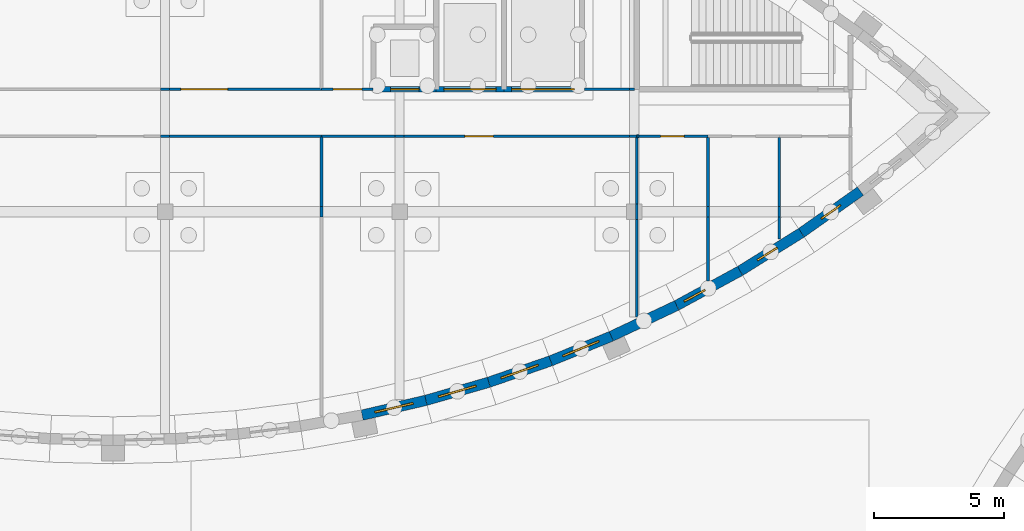
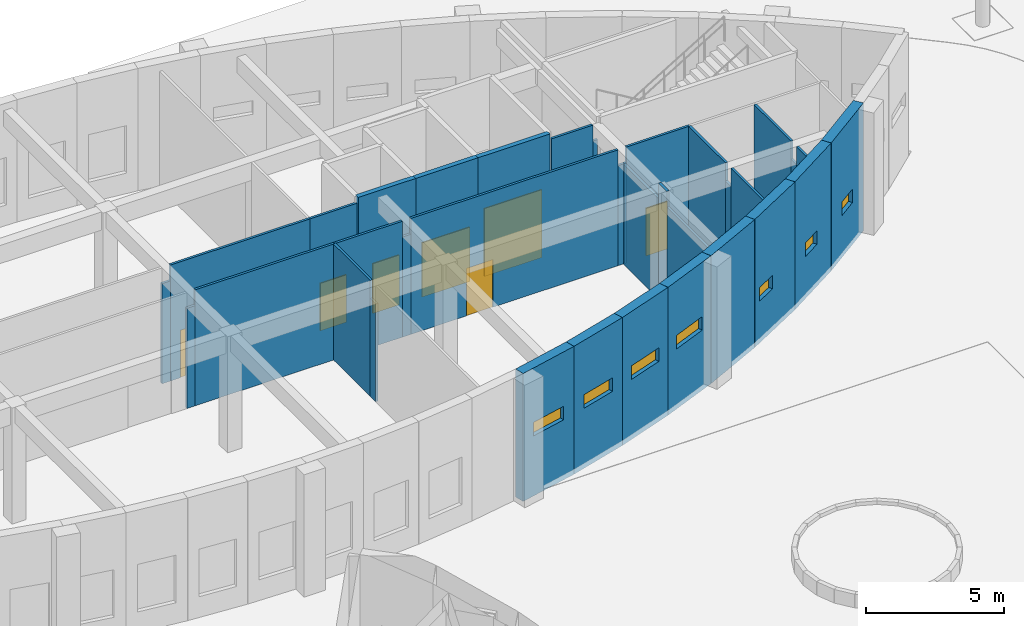
# One storey, part 58 of 82: 35 walls, 7 doors, 7 windows, 14 openings.
"""IFC4 building model written with IfcOpenShell, lengths in metres."""

from ifc_helpers import new_model, si_unit, direction, frame, frame_2d, origin, place, context, subcontext, project, spatial, rectangle, extrude, material, layer, layer_set, type_object, element, fill, save


model = new_model("IFC4")

# Units and contexts
model_context = context("Model", 3, precision=1e-05, world=origin(), true_north=direction((0.0, 1.0)))
body_context = subcontext(model_context, "Body", "Model", "MODEL_VIEW")
ifc_project = project(units=[si_unit("LENGTHUNIT", "METRE"), si_unit("AREAUNIT", "SQUARE_METRE"), si_unit("VOLUMEUNIT", "CUBIC_METRE"), si_unit("PLANEANGLEUNIT", "RADIAN"), si_unit("MASSUNIT", "GRAM", prefix="KILO")], contexts=[model_context])

# Site, building, storey
site_placement = place(None, origin())
site = spatial("IfcSite", under=ifc_project, at=site_placement, CompositionType="ELEMENT")
building_placement = place(site_placement, origin())
building = spatial("IfcBuilding", under=site, at=building_placement, Name="Tide Square Theatres", CompositionType="ELEMENT")
storey_placement = place(building_placement, origin())
storey = spatial("IfcBuildingStorey", under=building, at=storey_placement, Name="L00", CompositionType="ELEMENT", Elevation=0.0)

# Walls
ifc_material_1 = material(Name="Gypsum board on steel studs", Category="steel")
ifc_layer_1 = layer(ifc_material_1, 0.10009765625)
ifc_layer_set_1 = layer_set([ifc_layer_1], Name="Gypsum board on steel studs")
wall_type_1 = type_object("IfcWallType", Name="Partition 100 thick", PredefinedType="PARTITIONING", material=ifc_layer_set_1)
wall_1_placement = place(storey_placement, frame((45.0, 96.89990234375, 0.0), z_axis=(0.0, 0.0, 1.0), x_axis=(-1.0, 0.0, 0.0)))
element("IfcWall", 1, at=wall_1_placement, inside=storey, type_object=wall_type_1, Name="Scenery Workshops partition", PredefinedType="PARTITIONING", context=body_context, shape_type="SweptSolid", body=[
    extrude(rectangle(XDim=5.824951171875, YDim=0.10009765625, at=frame_2d((2.91259765625, 0.0))), origin(), (0.0, 0.0, 1.0), 5.1201171875),
])
for number, where, z_axis, x_axis, name in (
    (2, (39.175048828125, 96.89990234375, 0.0), (0.0, 0.0, 1.0), (-1.0, 0.0, 0.0), "Scenery Workshops partition"),
    (3, (38.824951171875, 98.699951171875, 0.0), (0.0, 0.0, 1.0), (1.0, 0.0, 0.0), "Scenery Workshops partition"),
):
    element("IfcWall", number, at=place(storey_placement, frame(where, z_axis=z_axis, x_axis=x_axis)), inside=storey, type_object=wall_type_1, Name=name, PredefinedType="PARTITIONING", context=body_context, shape_type="SweptSolid", body=[
        extrude(rectangle(XDim=0.35009765625, YDim=0.10009765625, at=frame_2d((0.175048828125, 0.0))), origin(), (0.0, 0.0, 1.0), 4.419921875),
    ])

# Wall, opening, door
wall_2_placement = place(storey_placement, frame((39.175048828125, 98.699951171875, 0.0), z_axis=(0.0, 0.0, 1.0), x_axis=(1.0, 0.0, 0.0)))
wall_2 = element("IfcWall", 4, at=wall_2_placement, inside=storey, type_object=wall_type_1, Name="Scenery Workshops partition", PredefinedType="PARTITIONING", context=body_context, shape_type="SweptSolid", body=[
    extrude(rectangle(XDim=5.824951171875, YDim=0.10009765625, at=frame_2d((2.91259765625, 0.0))), origin(), (0.0, 0.0, 1.0), 5.1201171875),
])
opening_1_placement = place(wall_2_placement, frame((0.425048828125, 0.0, 0.0)))
opening_1 = element("IfcOpeningElement", 5, at=opening_1_placement, cuts=wall_2, Name="Opening W0-17", PredefinedType="OPENING", context=body_context, shape_type="SweptSolid", body=[
    extrude(rectangle(XDim=1.800048828125, YDim=2.10009765625, at=frame_2d((0.89990234375, 1.050048828125))), frame((0.0, 0.06005859375, 0.0), z_axis=(0.0, -1.0, 0.0), x_axis=(1.0, 0.0, 0.0)), (0.0, 0.0, 1.0), 0.1201171875),
])
ifc_material_2 = material(Name="Hardwood timber", Category="wood")
door_type_1 = type_object("IfcDoorType", Name="Door 1800 x 2100 double leaf", OperationType="DOUBLE_DOOR_SINGLE_SWING", PredefinedType="DOOR", material=ifc_material_2)
door_1_placement = place(opening_1_placement, origin())
door_1 = element("IfcDoor", 6, at=door_1_placement, inside=storey, type_object=door_type_1, Name="Scenery Workshops door W0-17 to Scenery Loading Dock", OperationType="DOUBLE_DOOR_SINGLE_SWING", OverallHeight=2.10009765625, OverallWidth=1.800048828125, PredefinedType="DOOR", context=body_context, shape_type="SweptSolid", body=[
    extrude(rectangle(XDim=1.800048828125, YDim=2.10009765625, at=frame_2d((0.89990234375, 1.050048828125))), frame((0.0, 0.02490234375, 0.0), z_axis=(0.0, -1.0, 0.0), x_axis=(1.0, 0.0, 0.0)), (0.0, 0.0, 1.0), 0.050048828125),
])
fill(opening_1, door_1)

# Walls
wall_3_placement = place(storey_placement, frame((45.0, 96.8701171875, 0.0), z_axis=(0.0, 0.0, 1.0), x_axis=(0.0, -1.0, 0.0)))
element("IfcWall", 7, at=wall_3_placement, inside=storey, type_object=wall_type_1, Name="Scenery Workshops partition", PredefinedType="PARTITIONING", context=body_context, shape_type="SweptSolid", body=[
    extrude(rectangle(XDim=2.670166015625, YDim=0.10009765625, at=frame_2d((1.3349609375, 0.0))), origin(), (0.0, 0.0, 1.0), 5.1201171875),
])
wall_4_placement = place(storey_placement, frame((45.0, 94.199951171875, 0.0), z_axis=(0.0, 0.0, 1.0), x_axis=(0.0, -1.0, 0.0)))
element("IfcWall", 8, at=wall_4_placement, inside=storey, type_object=wall_type_1, Name="Scenery Workshops partition", PredefinedType="PARTITIONING", context=body_context, shape_type="SweptSolid", body=[
    extrude(rectangle(XDim=0.39990234375, YDim=0.10009765625, at=frame_2d((0.199951171875, 0.0))), origin(), (0.0, 0.0, 1.0), 4.320068359375),
])
wall_5_placement = place(storey_placement, frame((57.10009765625, 96.89990234375, 0.0), z_axis=(0.0, 0.0, 1.0), x_axis=(-1.0, 0.0, 0.0)))
element("IfcWall", 9, at=wall_5_placement, inside=storey, type_object=wall_type_1, Name="Scenery Workshops partition", PredefinedType="PARTITIONING", context=body_context, shape_type="SweptSolid", body=[
    extrude(rectangle(XDim=0.275146484375, YDim=0.10009765625, at=frame_2d((0.1376953125, 0.0))), origin(), (0.0, 0.0, 1.0), 4.419921875),
])

# Wall, opening, door
wall_6_placement = place(storey_placement, frame((56.824951171875, 96.89990234375, 0.0), z_axis=(0.0, 0.0, 1.0), x_axis=(-1.0, 0.0, 0.0)))
wall_6 = element("IfcWall", 10, at=wall_6_placement, inside=storey, type_object=wall_type_1, Name="Scenery Workshops partition", PredefinedType="PARTITIONING", context=body_context, shape_type="SweptSolid", body=[
    extrude(rectangle(XDim=8.64990234375, YDim=0.10009765625, at=frame_2d((4.324951171875, 0.0))), origin(), (0.0, 0.0, 1.0), 5.1201171875),
])
opening_2_placement = place(wall_6_placement, frame((5.22509765625, 0.0, 0.0)))
opening_2 = element("IfcOpeningElement", 11, at=opening_2_placement, cuts=wall_6, Name="Opening W0-15", PredefinedType="OPENING", context=body_context, shape_type="SweptSolid", body=[
    extrude(rectangle(XDim=1.10009765625, YDim=2.10009765625, at=frame_2d((0.550048828125, 1.050048828125))), frame((0.0, 0.06005859375, 0.0), z_axis=(0.0, -1.0, 0.0), x_axis=(1.0, 0.0, 0.0)), (0.0, 0.0, 1.0), 0.1201171875),
])
ifc_material_3 = material(Name="Painted steel", Category="steel")
door_type_2 = type_object("IfcDoorType", Name="Door 1100 x 2100 single leaf", OperationType="NOTDEFINED", PredefinedType="DOOR", material=ifc_material_3)
door_2_placement = place(opening_2_placement, origin())
door_2 = element("IfcDoor", 12, at=door_2_placement, inside=storey, type_object=door_type_2, Name="Scenery Workshops door W0-15 to Timber and Paint Store", OperationType="SINGLE_SWING_RIGHT", OverallHeight=2.10009765625, OverallWidth=1.10009765625, PredefinedType="DOOR", context=body_context, shape_type="SweptSolid", body=[
    extrude(rectangle(XDim=1.10009765625, YDim=2.10009765625, at=frame_2d((0.550048828125, 1.050048828125))), frame((0.0, 0.02490234375, 0.0), z_axis=(0.0, -1.0, 0.0), x_axis=(1.0, 0.0, 0.0)), (0.0, 0.0, 1.0), 0.050048828125),
])
fill(opening_2, door_2)

# Walls
wall_7_placement = place(storey_placement, frame((48.175048828125, 96.89990234375, 0.0), z_axis=(0.0, 0.0, 1.0), x_axis=(-1.0, 0.0, 0.0)))
element("IfcWall", 13, at=wall_7_placement, inside=storey, type_object=wall_type_1, Name="Scenery Workshops partition", PredefinedType="PARTITIONING", context=body_context, shape_type="SweptSolid", body=[
    extrude(rectangle(XDim=0.35009765625, YDim=0.10009765625, at=frame_2d((0.175048828125, 0.0))), origin(), (0.0, 0.0, 1.0), 4.419921875),
])
wall_8_placement = place(storey_placement, frame((47.824951171875, 96.89990234375, 0.0), z_axis=(0.0, 0.0, 1.0), x_axis=(-1.0, 0.0, 0.0)))
element("IfcWall", 14, at=wall_8_placement, inside=storey, type_object=wall_type_1, Name="Scenery Workshops partition", PredefinedType="PARTITIONING", context=body_context, shape_type="SweptSolid", body=[
    extrude(rectangle(XDim=2.824951171875, YDim=0.10009765625, at=frame_2d((1.41259765625, 0.0))), origin(), (0.0, 0.0, 1.0), 5.1201171875),
])

# Wall, opening, door
wall_9_placement = place(storey_placement, frame((45.0, 98.699951171875, 0.0), z_axis=(0.0, 0.0, 1.0), x_axis=(1.0, 0.0, 0.0)))
wall_9 = element("IfcWall", 15, at=wall_9_placement, inside=storey, type_object=wall_type_1, Name="Scenery Workshops partition", PredefinedType="PARTITIONING", context=body_context, shape_type="SweptSolid", body=[
    extrude(rectangle(XDim=1.969970703125, YDim=0.10009765625, at=frame_2d((0.98486328125, 0.0))), origin(), (0.0, 0.0, 1.0), 5.1201171875),
])
opening_3_placement = place(wall_9_placement, frame((0.449951171875, 0.0, 0.0)))
opening_3 = element("IfcOpeningElement", 16, at=opening_3_placement, cuts=wall_9, Name="Opening W0-19", PredefinedType="OPENING", context=body_context, shape_type="SweptSolid", body=[
    extrude(rectangle(XDim=1.10009765625, YDim=2.10009765625, at=frame_2d((0.550048828125, 1.050048828125))), frame((0.0, 0.06005859375, 0.0), z_axis=(0.0, -1.0, 0.0), x_axis=(1.0, 0.0, 0.0)), (0.0, 0.0, 1.0), 0.1201171875),
])
door_3_placement = place(opening_3_placement, origin())
door_3 = element("IfcDoor", 17, at=door_3_placement, inside=storey, type_object=door_type_2, Name="Scenery Workshops door W0-19 to Scenery Store", OperationType="SINGLE_SWING_RIGHT", OverallHeight=2.10009765625, OverallWidth=1.10009765625, PredefinedType="DOOR", context=body_context, shape_type="SweptSolid", body=[
    extrude(rectangle(XDim=1.10009765625, YDim=2.10009765625, at=frame_2d((0.550048828125, 1.050048828125))), frame((0.0, 0.02490234375, 0.0), z_axis=(0.0, -1.0, 0.0), x_axis=(1.0, 0.0, 0.0)), (0.0, 0.0, 1.0), 0.050048828125),
])
fill(opening_3, door_3)

# Walls
wall_10_placement = place(storey_placement, frame((55.090087890625, 98.699951171875, 0.0), z_axis=(0.0, 0.0, 1.0), x_axis=(1.0, 0.0, 0.0)))
element("IfcWall", 18, at=wall_10_placement, inside=storey, type_object=wall_type_1, Name="Scenery Workshops partition", PredefinedType="PARTITIONING", context=body_context, shape_type="SweptSolid", body=[
    extrude(rectangle(XDim=1.73486328125, YDim=0.10009765625, at=frame_2d((0.867431640625, 0.0))), origin(), (0.0, 0.0, 1.0), 5.1201171875),
])
wall_11_placement = place(storey_placement, frame((56.824951171875, 98.699951171875, 0.0), z_axis=(0.0, 0.0, 1.0), x_axis=(1.0, 0.0, 0.0)))
element("IfcWall", 19, at=wall_11_placement, inside=storey, type_object=wall_type_1, Name="Scenery Workshops partition", PredefinedType="PARTITIONING", context=body_context, shape_type="SweptSolid", body=[
    extrude(rectangle(XDim=0.195068359375, YDim=0.10009765625, at=frame_2d((0.09765625, 0.0))), origin(), (0.0, 0.0, 1.0), 4.419921875),
])
wall_12_placement = place(storey_placement, frame((57.10009765625, 89.960205078125, 0.0), z_axis=(0.0, 0.0, 1.0), x_axis=(0.0, 1.0, 0.0)))
element("IfcWall", 20, at=wall_12_placement, inside=storey, type_object=wall_type_1, Name="Scenery Workshops partition", PredefinedType="PARTITIONING", context=body_context, shape_type="SweptSolid", body=[
    extrude(rectangle(XDim=3.73974609375, YDim=0.10009765625, at=frame_2d((1.869873046875, 0.0))), origin(), (0.0, 0.0, 1.0), 4.419921875),
])
wall_13_placement = place(storey_placement, frame((57.10009765625, 93.699951171875, 0.0), z_axis=(0.0, 0.0, 1.0), x_axis=(0.0, 1.0, 0.0)))
element("IfcWall", 21, at=wall_13_placement, inside=storey, type_object=wall_type_1, Name="Scenery Workshops partition", PredefinedType="PARTITIONING", context=body_context, shape_type="SweptSolid", body=[
    extrude(rectangle(XDim=0.60009765625, YDim=0.10009765625, at=frame_2d((0.300048828125, 0.0))), origin(), (0.0, 0.0, 1.0), 5.1201171875),
])
wall_14_placement = place(storey_placement, frame((57.10009765625, 94.300048828125, 0.0), z_axis=(0.0, 0.0, 1.0), x_axis=(0.0, 1.0, 0.0)))
element("IfcWall", 22, at=wall_14_placement, inside=storey, type_object=wall_type_1, Name="Scenery Workshops partition", PredefinedType="PARTITIONING", context=body_context, shape_type="SweptSolid", body=[
    extrude(rectangle(XDim=2.570068359375, YDim=0.10009765625, at=frame_2d((1.28515625, 0.0))), origin(), (0.0, 0.0, 1.0), 4.419921875),
])

# Wall, opening, door
wall_15_placement = place(storey_placement, frame((59.833251953125, 96.89990234375, 0.0), z_axis=(0.0, 0.0, 1.0), x_axis=(-1.0, 0.0, 0.0)))
wall_15 = element("IfcWall", 23, at=wall_15_placement, inside=storey, type_object=wall_type_1, Name="Scenery Workshops partition", PredefinedType="PARTITIONING", context=body_context, shape_type="SweptSolid", body=[
    extrude(rectangle(XDim=2.658203125, YDim=0.10009765625, at=frame_2d((1.3291015625, 0.0))), origin(), (0.0, 0.0, 1.0), 5.1201171875),
])
opening_4_placement = place(wall_15_placement, frame((0.916748046875, 0.0, 0.0)))
opening_4 = element("IfcOpeningElement", 24, at=opening_4_placement, cuts=wall_15, Name="Opening W0-08", PredefinedType="OPENING", context=body_context, shape_type="SweptSolid", body=[
    extrude(rectangle(XDim=0.89990234375, YDim=2.10009765625, at=frame_2d((0.449951171875, 1.050048828125))), frame((0.0, 0.06005859375, 0.0), z_axis=(0.0, -1.0, 0.0), x_axis=(1.0, 0.0, 0.0)), (0.0, 0.0, 1.0), 0.1201171875),
])
ifc_material_4 = material(Name="Hardwood timber", Category="wood")
door_type_3 = type_object("IfcDoorType", Name="Door 900 x 2100 single leaf", OperationType="NOTDEFINED", PredefinedType="DOOR", material=ifc_material_4)
door_4_placement = place(opening_4_placement, origin())
door_4 = element("IfcDoor", 25, at=door_4_placement, inside=storey, type_object=door_type_3, Name="Scenery Workshops door W0-08 to Gents WC E", OperationType="SINGLE_SWING_RIGHT", OverallHeight=2.10009765625, OverallWidth=0.89990234375, PredefinedType="DOOR", context=body_context, shape_type="SweptSolid", body=[
    extrude(rectangle(XDim=0.89990234375, YDim=2.10009765625, at=frame_2d((0.449951171875, 1.050048828125))), frame((0.0, 0.02490234375, 0.0), z_axis=(0.0, -1.0, 0.0), x_axis=(1.0, 0.0, 0.0)), (0.0, 0.0, 1.0), 0.050048828125),
])
fill(opening_4, door_4)

# Walls
wall_16_placement = place(storey_placement, frame((57.175048828125, 96.89990234375, 0.0), z_axis=(0.0, 0.0, 1.0), x_axis=(-1.0, 0.0, 0.0)))
element("IfcWall", 26, at=wall_16_placement, inside=storey, type_object=wall_type_1, Name="Scenery Workshops partition", PredefinedType="PARTITIONING", context=body_context, shape_type="SweptSolid", body=[
    extrude(rectangle(XDim=0.074951171875, YDim=0.10009765625, at=frame_2d((0.03759765625, 0.0))), origin(), (0.0, 0.0, 1.0), 4.419921875),
])
wall_17_placement = place(storey_placement, frame((59.833251953125, 96.860107421875, 0.0), z_axis=(0.0, 0.0, 1.0), x_axis=(0.0, -1.0, 0.0)))
element("IfcWall", 27, at=wall_17_placement, inside=storey, type_object=wall_type_1, Name="Scenery Workshops partition", PredefinedType="PARTITIONING", context=body_context, shape_type="SweptSolid", body=[
    extrude(rectangle(XDim=2.66015625, YDim=0.10009765625, at=frame_2d((1.330078125, 0.0))), origin(), (0.0, 0.0, 1.0), 5.1201171875),
])
wall_18_placement = place(storey_placement, frame((59.833251953125, 94.199951171875, 0.0), z_axis=(0.0, 0.0, 1.0), x_axis=(0.0, -1.0, 0.0)))
element("IfcWall", 28, at=wall_18_placement, inside=storey, type_object=wall_type_1, Name="Scenery Workshops partition", PredefinedType="PARTITIONING", context=body_context, shape_type="SweptSolid", body=[
    extrude(rectangle(XDim=0.39990234375, YDim=0.10009765625, at=frame_2d((0.199951171875, 0.0))), origin(), (0.0, 0.0, 1.0), 4.320068359375),
])
wall_19_placement = place(storey_placement, frame((59.833251953125, 93.800048828125, 0.0), z_axis=(0.0, 0.0, 1.0), x_axis=(0.0, -1.0, 0.0)))
element("IfcWall", 29, at=wall_19_placement, inside=storey, type_object=wall_type_1, Name="Scenery Workshops partition", PredefinedType="PARTITIONING", context=body_context, shape_type="SweptSolid", body=[
    extrude(rectangle(XDim=2.455078125, YDim=0.10009765625, at=frame_2d((1.2275390625, 0.0))), origin(), (0.0, 0.0, 1.0), 5.1201171875),
])
wall_20_placement = place(storey_placement, frame((62.566650390625, 96.860107421875, 0.0), z_axis=(0.0, 0.0, 1.0), x_axis=(0.0, -1.0, 0.0)))
element("IfcWall", 30, at=wall_20_placement, inside=storey, type_object=wall_type_1, Name="Scenery Workshops partition", PredefinedType="PARTITIONING", context=body_context, shape_type="SweptSolid", body=[
    extrude(rectangle(XDim=2.66015625, YDim=0.10009765625, at=frame_2d((1.330078125, 0.0))), origin(), (0.0, 0.0, 1.0), 5.1201171875),
])
wall_21_placement = place(storey_placement, frame((62.566650390625, 94.199951171875, 0.0), z_axis=(0.0, 0.0, 1.0), x_axis=(0.0, -1.0, 0.0)))
element("IfcWall", 31, at=wall_21_placement, inside=storey, type_object=wall_type_1, Name="Scenery Workshops partition", PredefinedType="PARTITIONING", context=body_context, shape_type="SweptSolid", body=[
    extrude(rectangle(XDim=0.39990234375, YDim=0.10009765625, at=frame_2d((0.199951171875, 0.0))), origin(), (0.0, 0.0, 1.0), 4.320068359375),
])
wall_22_placement = place(storey_placement, frame((62.566650390625, 93.800048828125, 0.0), z_axis=(0.0, 0.0, 1.0), x_axis=(0.0, -1.0, 0.0)))
element("IfcWall", 32, at=wall_22_placement, inside=storey, type_object=wall_type_1, Name="Scenery Workshops partition", PredefinedType="PARTITIONING", context=body_context, shape_type="SweptSolid", body=[
    extrude(rectangle(XDim=0.84033203125, YDim=0.10009765625, at=frame_2d((0.420166015625, 0.0))), origin(), (0.0, 0.0, 1.0), 5.1201171875),
])

# Wall, opening, window
ifc_material_5 = material(Name="Concrete C40", Category="concrete")
ifc_layer_2 = layer(ifc_material_5, 0.39990234375)
ifc_layer_set_2 = layer_set([ifc_layer_2], Name="Concrete C40")
wall_type_2 = type_object("IfcWallType", Name="RC curved wall 400 thick", PredefinedType="SOLIDWALL", material=ifc_layer_set_2)
wall_23_placement = place(storey_placement, frame((46.559814453125, 86.197021484375, -0.25), z_axis=(0.0, 0.0, 1.0), x_axis=(0.974210649093, 0.225640446716, 0.0)))
wall_23 = element("IfcWall", 33, at=wall_23_placement, inside=storey, type_object=wall_type_2, Name="Scenery Workshops perimeter wall 018", PredefinedType="SOLIDWALL", context=body_context, shape_type="SweptSolid", body=[
    extrude(rectangle(XDim=2.51123046875, YDim=0.39990234375, at=frame_2d((1.255615234375, 0.0))), origin(), (0.0, 0.0, 1.0), 5.64990234375),
])
opening_5_placement = place(wall_23_placement, frame((0.505615234375, 0.0, 2.64990234375)))
opening_5 = element("IfcOpeningElement", 34, at=opening_5_placement, cuts=wall_23, Name="Opening WN-05", PredefinedType="OPENING", context=body_context, shape_type="SweptSolid", body=[
    extrude(rectangle(XDim=1.5, YDim=0.60009765625, at=frame_2d((0.75, 0.300048828125))), frame((0.0, 0.2099609375, 0.0), z_axis=(0.0, -1.0, 0.0), x_axis=(1.0, 0.0, 0.0)), (0.0, 0.0, 1.0), 0.419921875),
])
ifc_material_6 = material(Name="Aluminium with laminated glass", Category="aluminium")
window_type_1 = type_object("IfcWindowType", Name="Window 1500 x 600", PartitioningType="SINGLE_PANEL", PredefinedType="WINDOW", material=ifc_material_6)
window_1_placement = place(opening_5_placement, origin())
window_1 = element("IfcWindow", 35, at=window_1_placement, inside=storey, type_object=window_type_1, Name="Scenery Workshops window L00-17", OverallHeight=0.60009765625, OverallWidth=1.5, PartitioningType="SINGLE_PANEL", PredefinedType="WINDOW", context=body_context, shape_type="SweptSolid", body=[
    extrude(rectangle(XDim=1.5, YDim=0.60009765625, at=frame_2d((0.75, 0.300048828125))), frame((0.0, 0.030029296875, 0.0), z_axis=(0.0, -1.0, 0.0), x_axis=(1.0, 0.0, 0.0)), (0.0, 0.0, 1.0), 0.06005859375),
])
fill(opening_5, window_1)

wall_24_placement = place(storey_placement, frame((49.00634765625, 86.763671875, -0.25), z_axis=(0.0, 0.0, 1.0), x_axis=(0.961008605775, 0.276518461637, 0.0)))
wall_24 = element("IfcWall", 36, at=wall_24_placement, inside=storey, type_object=wall_type_2, Name="Scenery Workshops perimeter wall 019", PredefinedType="SOLIDWALL", context=body_context, shape_type="SweptSolid", body=[
    extrude(rectangle(XDim=2.510986328125, YDim=0.39990234375, at=frame_2d((1.25537109375, 0.0))), origin(), (0.0, 0.0, 1.0), 5.64990234375),
])
opening_6_placement = place(wall_24_placement, frame((0.505615234375, 0.0, 2.64990234375)))
opening_6 = element("IfcOpeningElement", 37, at=opening_6_placement, cuts=wall_24, Name="Opening WN-05", PredefinedType="OPENING", context=body_context, shape_type="SweptSolid", body=[
    extrude(rectangle(XDim=1.5, YDim=0.60009765625, at=frame_2d((0.75, 0.300048828125))), frame((0.0, 0.2099609375, 0.0), z_axis=(0.0, -1.0, 0.0), x_axis=(1.0, 0.0, 0.0)), (0.0, 0.0, 1.0), 0.419921875),
])
window_2_placement = place(opening_6_placement, origin())
window_2 = element("IfcWindow", 38, at=window_2_placement, inside=storey, type_object=window_type_1, Name="Scenery Workshops window L00-18", OverallHeight=0.60009765625, OverallWidth=1.5, PartitioningType="SINGLE_PANEL", PredefinedType="WINDOW", context=body_context, shape_type="SweptSolid", body=[
    extrude(rectangle(XDim=1.5, YDim=0.60009765625, at=frame_2d((0.75, 0.300048828125))), frame((0.0, 0.030029296875, 0.0), z_axis=(0.0, -1.0, 0.0), x_axis=(1.0, 0.0, 0.0)), (0.0, 0.0, 1.0), 0.06005859375),
])
fill(opening_6, window_2)

wall_25_placement = place(storey_placement, frame((51.41943359375, 87.4580078125, -0.25), z_axis=(0.0, 0.0, 1.0), x_axis=(0.94514546406, 0.326649738659, 0.0)))
wall_25 = element("IfcWall", 39, at=wall_25_placement, inside=storey, type_object=wall_type_2, Name="Scenery Workshops perimeter wall 020", PredefinedType="SOLIDWALL", context=body_context, shape_type="SweptSolid", body=[
    extrude(rectangle(XDim=2.51123046875, YDim=0.39990234375, at=frame_2d((1.255615234375, 0.0))), origin(), (0.0, 0.0, 1.0), 5.64990234375),
])
opening_7_placement = place(wall_25_placement, frame((0.505615234375, 0.0, 2.64990234375)))
opening_7 = element("IfcOpeningElement", 40, at=opening_7_placement, cuts=wall_25, Name="Opening WN-05", PredefinedType="OPENING", context=body_context, shape_type="SweptSolid", body=[
    extrude(rectangle(XDim=1.5, YDim=0.60009765625, at=frame_2d((0.75, 0.300048828125))), frame((0.0, 0.2099609375, 0.0), z_axis=(0.0, -1.0, 0.0), x_axis=(1.0, 0.0, 0.0)), (0.0, 0.0, 1.0), 0.419921875),
])
window_3_placement = place(opening_7_placement, origin())
window_3 = element("IfcWindow", 41, at=window_3_placement, inside=storey, type_object=window_type_1, Name="Scenery Workshops window L00-19", OverallHeight=0.60009765625, OverallWidth=1.5, PartitioningType="SINGLE_PANEL", PredefinedType="WINDOW", context=body_context, shape_type="SweptSolid", body=[
    extrude(rectangle(XDim=1.5, YDim=0.60009765625, at=frame_2d((0.75, 0.300048828125))), frame((0.0, 0.030029296875, 0.0), z_axis=(0.0, -1.0, 0.0), x_axis=(1.0, 0.0, 0.0)), (0.0, 0.0, 1.0), 0.06005859375),
])
fill(opening_7, window_3)

wall_26_placement = place(storey_placement, frame((53.79296875, 88.2783203125, -0.25), z_axis=(0.0, 0.0, 1.0), x_axis=(0.926722795862, 0.375745738007, 0.0)))
wall_26 = element("IfcWall", 42, at=wall_26_placement, inside=storey, type_object=wall_type_2, Name="Scenery Workshops perimeter wall 021", PredefinedType="SOLIDWALL", context=body_context, shape_type="SweptSolid", body=[
    extrude(rectangle(XDim=2.5107421875, YDim=0.39990234375, at=frame_2d((1.25537109375, 0.0))), origin(), (0.0, 0.0, 1.0), 5.64990234375),
])
opening_8_placement = place(wall_26_placement, frame((0.50537109375, 0.0, 2.64990234375)))
opening_8 = element("IfcOpeningElement", 43, at=opening_8_placement, cuts=wall_26, Name="Opening WN-05", PredefinedType="OPENING", context=body_context, shape_type="SweptSolid", body=[
    extrude(rectangle(XDim=1.5, YDim=0.60009765625, at=frame_2d((0.75, 0.300048828125))), frame((0.0, 0.2099609375, 0.0), z_axis=(0.0, -1.0, 0.0), x_axis=(1.0, 0.0, 0.0)), (0.0, 0.0, 1.0), 0.419921875),
])
window_4_placement = place(opening_8_placement, origin())
window_4 = element("IfcWindow", 44, at=window_4_placement, inside=storey, type_object=window_type_1, Name="Scenery Workshops window L00-20", OverallHeight=0.60009765625, OverallWidth=1.5, PartitioningType="SINGLE_PANEL", PredefinedType="WINDOW", context=body_context, shape_type="SweptSolid", body=[
    extrude(rectangle(XDim=1.5, YDim=0.60009765625, at=frame_2d((0.75, 0.300048828125))), frame((0.0, 0.030029296875, 0.0), z_axis=(0.0, -1.0, 0.0), x_axis=(1.0, 0.0, 0.0)), (0.0, 0.0, 1.0), 0.06005859375),
])
fill(opening_8, window_4)

# Wall
wall_27_placement = place(storey_placement, frame((56.11962890625, 89.2216796875, -0.25), z_axis=(0.0, 0.0, 1.0), x_axis=(0.904527098751, 0.42641614372, 0.0)))
element("IfcWall", 45, at=wall_27_placement, inside=storey, type_object=wall_type_2, Name="Scenery Workshops perimeter wall 022", PredefinedType="SOLIDWALL", context=body_context, shape_type="SweptSolid", body=[
    extrude(rectangle(XDim=2.772216796875, YDim=0.39990234375, at=frame_2d((1.38623046875, 0.0))), origin(), (0.0, 0.0, 1.0), 5.64990234375),
])

# Wall, opening, window
wall_28_placement = place(storey_placement, frame((58.627197265625, 90.40380859375, -0.25), z_axis=(0.0, 0.0, 1.0), x_axis=(0.878292493566, 0.478123724308, 0.0)))
wall_28 = element("IfcWall", 46, at=wall_28_placement, inside=storey, type_object=wall_type_2, Name="Scenery Workshops perimeter wall 023", PredefinedType="SOLIDWALL", context=body_context, shape_type="SweptSolid", body=[
    extrude(rectangle(XDim=2.771728515625, YDim=0.39990234375, at=frame_2d((1.3857421875, 0.0))), origin(), (0.0, 0.0, 1.0), 5.64990234375),
])
opening_9_placement = place(wall_28_placement, frame((0.3359375, 0.0, 1.85009765625)))
opening_9 = element("IfcOpeningElement", 47, at=opening_9_placement, cuts=wall_28, Name="Opening WN-12", PredefinedType="OPENING", context=body_context, shape_type="SweptSolid", body=[
    extrude(rectangle(XDim=0.89990234375, YDim=0.60009765625, at=frame_2d((0.449951171875, 0.300048828125))), frame((0.0, 0.2099609375, 0.0), z_axis=(0.0, -1.0, 0.0), x_axis=(1.0, 0.0, 0.0)), (0.0, 0.0, 1.0), 0.419921875),
])
ifc_material_7 = material(Name="Aluminium with laminated glass", Category="aluminium")
window_type_2 = type_object("IfcWindowType", Name="Window 900 x 600", PartitioningType="SINGLE_PANEL", PredefinedType="WINDOW", material=ifc_material_7)
window_5_placement = place(opening_9_placement, origin())
window_5 = element("IfcWindow", 48, at=window_5_placement, inside=storey, type_object=window_type_2, Name="Scenery Workshops window L00-21", OverallHeight=0.60009765625, OverallWidth=0.89990234375, PartitioningType="SINGLE_PANEL", PredefinedType="WINDOW", context=body_context, shape_type="SweptSolid", body=[
    extrude(rectangle(XDim=0.89990234375, YDim=0.60009765625, at=frame_2d((0.449951171875, 0.300048828125))), frame((0.0, 0.030029296875, 0.0), z_axis=(0.0, -1.0, 0.0), x_axis=(1.0, 0.0, 0.0)), (0.0, 0.0, 1.0), 0.06005859375),
])
fill(opening_9, window_5)

wall_29_placement = place(storey_placement, frame((61.0615234375, 91.72900390625, -0.25), z_axis=(0.0, 0.0, 1.0), x_axis=(0.84912946359, 0.528184772653, 0.0)))
wall_29 = element("IfcWall", 49, at=wall_29_placement, inside=storey, type_object=wall_type_2, Name="Scenery Workshops perimeter wall 024", PredefinedType="SOLIDWALL", context=body_context, shape_type="SweptSolid", body=[
    extrude(rectangle(XDim=2.77197265625, YDim=0.39990234375, at=frame_2d((1.385986328125, 0.0))), origin(), (0.0, 0.0, 1.0), 5.64990234375),
])
opening_10_placement = place(wall_29_placement, frame((0.785888671875, 0.0, 1.85009765625)))
opening_10 = element("IfcOpeningElement", 50, at=opening_10_placement, cuts=wall_29, Name="Opening WN-12", PredefinedType="OPENING", context=body_context, shape_type="SweptSolid", body=[
    extrude(rectangle(XDim=0.89990234375, YDim=0.60009765625, at=frame_2d((0.449951171875, 0.300048828125))), frame((0.0, 0.2099609375, 0.0), z_axis=(0.0, -1.0, 0.0), x_axis=(1.0, 0.0, 0.0)), (0.0, 0.0, 1.0), 0.419921875),
])
window_6_placement = place(opening_10_placement, origin())
window_6 = element("IfcWindow", 51, at=window_6_placement, inside=storey, type_object=window_type_2, Name="Scenery Workshops window L00-22", OverallHeight=0.60009765625, OverallWidth=0.89990234375, PartitioningType="SINGLE_PANEL", PredefinedType="WINDOW", context=body_context, shape_type="SweptSolid", body=[
    extrude(rectangle(XDim=0.89990234375, YDim=0.60009765625, at=frame_2d((0.449951171875, 0.300048828125))), frame((0.0, 0.030029296875, 0.0), z_axis=(0.0, -1.0, 0.0), x_axis=(1.0, 0.0, 0.0)), (0.0, 0.0, 1.0), 0.06005859375),
])
fill(opening_10, window_6)

wall_30_placement = place(storey_placement, frame((63.415283203125, 93.193115234375, -0.25), z_axis=(0.0, 0.0, 1.0), x_axis=(0.817028877428, 0.576596751161, 0.0)))
wall_30 = element("IfcWall", 52, at=wall_30_placement, inside=storey, type_object=wall_type_2, Name="Scenery Workshops perimeter wall 025", PredefinedType="SOLIDWALL", context=body_context, shape_type="SweptSolid", body=[
    extrude(rectangle(XDim=2.772216796875, YDim=0.39990234375, at=frame_2d((1.38623046875, 0.0))), origin(), (0.0, 0.0, 1.0), 5.64990234375),
])
opening_11_placement = place(wall_30_placement, frame((0.93603515625, 0.0, 1.85009765625)))
opening_11 = element("IfcOpeningElement", 53, at=opening_11_placement, cuts=wall_30, Name="Opening WN-12", PredefinedType="OPENING", context=body_context, shape_type="SweptSolid", body=[
    extrude(rectangle(XDim=0.89990234375, YDim=0.60009765625, at=frame_2d((0.449951171875, 0.300048828125))), frame((0.0, 0.2099609375, 0.0), z_axis=(0.0, -1.0, 0.0), x_axis=(1.0, 0.0, 0.0)), (0.0, 0.0, 1.0), 0.419921875),
])
window_7_placement = place(opening_11_placement, origin())
window_7 = element("IfcWindow", 54, at=window_7_placement, inside=storey, type_object=window_type_2, Name="Scenery Workshops window L00-23", OverallHeight=0.60009765625, OverallWidth=0.89990234375, PartitioningType="SINGLE_PANEL", PredefinedType="WINDOW", context=body_context, shape_type="SweptSolid", body=[
    extrude(rectangle(XDim=0.89990234375, YDim=0.60009765625, at=frame_2d((0.449951171875, 0.300048828125))), frame((0.0, 0.030029296875, 0.0), z_axis=(0.0, -1.0, 0.0), x_axis=(1.0, 0.0, 0.0)), (0.0, 0.0, 1.0), 0.06005859375),
])
fill(opening_11, window_7)

# Wall, opening, door
ifc_material_8 = material(Name="Concrete C40", Category="concrete")
ifc_layer_3 = layer(ifc_material_8, 0.199951171875)
ifc_layer_set_3 = layer_set([ifc_layer_3], Name="Concrete C40")
wall_type_3 = type_object("IfcWallType", Name="RC shear wall 200 thick", PredefinedType="SHEAR", material=ifc_layer_set_3)
wall_31_placement = place(storey_placement, frame((52.0, 98.699951171875, -1.199951171875), z_axis=(0.0, 0.0, 1.0), x_axis=(-1.0, 0.0, 0.0)))
wall_31 = element("IfcWall", 55, at=wall_31_placement, inside=storey, type_object=wall_type_3, Name="Scenery Workshops lift shaft wall", PredefinedType="SHEAR", context=body_context, shape_type="SweptSolid", body=[
    extrude(rectangle(XDim=2.60009765625, YDim=0.199951171875, at=frame_2d((1.300048828125, 0.0))), origin(), (0.0, 0.0, 1.0), 6.599853515625),
])
opening_12_placement = place(wall_31_placement, frame((0.300048828125, 0.0, 1.199951171875)))
opening_12 = element("IfcOpeningElement", 56, at=opening_12_placement, cuts=wall_31, Name="Opening LD-W2-0", PredefinedType="OPENING", context=body_context, shape_type="SweptSolid", body=[
    extrude(rectangle(XDim=2.0, YDim=2.39990234375, at=frame_2d((1.0, 1.199951171875))), frame((0.0, 0.10986328125, 0.0), z_axis=(0.0, -1.0, 0.0), x_axis=(1.0, 0.0, 0.0)), (0.0, 0.0, 1.0), 0.219970703125),
])
ifc_material_9 = material(Name="Painted steel", Category="steel")
door_type_4 = type_object("IfcDoorType", Name="Door 2000 x 2400 landing sliding", OperationType="SLIDING_TO_LEFT", PredefinedType="DOOR", material=ifc_material_9)
door_5_placement = place(opening_12_placement, origin())
door_5 = element("IfcDoor", 57, at=door_5_placement, inside=storey, type_object=door_type_4, Name="Scenery Workshops lift landing door 2 L00", OperationType="SLIDING_TO_LEFT", OverallHeight=2.39990234375, OverallWidth=2.0, PredefinedType="DOOR", context=body_context, shape_type="SweptSolid", body=[
    extrude(rectangle(XDim=2.0, YDim=2.39990234375, at=frame_2d((1.0, 1.199951171875))), frame((0.0, 0.02490234375, 0.0), z_axis=(0.0, -1.0, 0.0), x_axis=(1.0, 0.0, 0.0)), (0.0, 0.0, 1.0), 0.050048828125),
])
fill(opening_12, door_5)

wall_32_placement = place(storey_placement, frame((49.39990234375, 98.699951171875, -1.199951171875), z_axis=(0.0, 0.0, 1.0), x_axis=(-1.0, 0.0, 0.0)))
wall_32 = element("IfcWall", 58, at=wall_32_placement, inside=storey, type_object=wall_type_3, Name="Scenery Workshops lift shaft wall", PredefinedType="SHEAR", context=body_context, shape_type="SweptSolid", body=[
    extrude(rectangle(XDim=2.39990234375, YDim=0.199951171875, at=frame_2d((1.199951171875, 0.0))), origin(), (0.0, 0.0, 1.0), 6.599853515625),
])
opening_13_placement = place(wall_32_placement, frame((0.64990234375, 0.0, 1.199951171875)))
opening_13 = element("IfcOpeningElement", 59, at=opening_13_placement, cuts=wall_32, Name="Opening LD-W1-0", PredefinedType="OPENING", context=body_context, shape_type="SweptSolid", body=[
    extrude(rectangle(XDim=1.10009765625, YDim=2.199951171875, at=frame_2d((0.550048828125, 1.10009765625))), frame((0.0, 0.10986328125, 0.0), z_axis=(0.0, -1.0, 0.0), x_axis=(1.0, 0.0, 0.0)), (0.0, 0.0, 1.0), 0.219970703125),
])
ifc_material_10 = material(Name="Painted steel", Category="steel")
door_type_5 = type_object("IfcDoorType", Name="Door 1100 x 2200 sliding", OperationType="SLIDING_TO_LEFT", PredefinedType="DOOR", material=ifc_material_10)
door_6_placement = place(opening_13_placement, origin())
door_6 = element("IfcDoor", 60, at=door_6_placement, inside=storey, type_object=door_type_5, Name="Scenery Workshops lift landing door 1 L00", OperationType="SLIDING_TO_LEFT", OverallHeight=2.199951171875, OverallWidth=1.10009765625, PredefinedType="DOOR", context=body_context, shape_type="SweptSolid", body=[
    extrude(rectangle(XDim=1.10009765625, YDim=2.199951171875, at=frame_2d((0.550048828125, 1.10009765625))), frame((0.0, 0.02490234375, 0.0), z_axis=(0.0, -1.0, 0.0), x_axis=(1.0, 0.0, 0.0)), (0.0, 0.0, 1.0), 0.050048828125),
])
fill(opening_13, door_6)

wall_33_placement = place(storey_placement, frame((55.0, 98.699951171875, -1.199951171875), z_axis=(0.0, 0.0, 1.0), x_axis=(-1.0, 0.0, 0.0)))
wall_33 = element("IfcWall", 61, at=wall_33_placement, inside=storey, type_object=wall_type_3, Name="Scenery Workshops lift shaft wall", PredefinedType="SHEAR", context=body_context, shape_type="SweptSolid", body=[
    extrude(rectangle(XDim=3.0, YDim=0.199951171875, at=frame_2d((1.5, 0.0))), origin(), (0.0, 0.0, 1.0), 6.599853515625),
])
opening_14_placement = place(wall_33_placement, frame((0.300048828125, 0.0, 1.199951171875)))
opening_14 = element("IfcOpeningElement", 62, at=opening_14_placement, cuts=wall_33, Name="Opening LD-W3-0", PredefinedType="OPENING", context=body_context, shape_type="SweptSolid", body=[
    extrude(rectangle(XDim=2.39990234375, YDim=3.0, at=frame_2d((1.199951171875, 1.5))), frame((0.0, 0.10986328125, 0.0), z_axis=(0.0, -1.0, 0.0), x_axis=(1.0, 0.0, 0.0)), (0.0, 0.0, 1.0), 0.219970703125),
])
ifc_material_11 = material(Name="Painted steel", Category="steel")
door_type_6 = type_object("IfcDoorType", Name="Door 2400 x 3000 bi-parting sliding", OperationType="DOUBLE_DOOR_SLIDING", PredefinedType="DOOR", material=ifc_material_11)
door_7_placement = place(opening_14_placement, origin())
door_7 = element("IfcDoor", 63, at=door_7_placement, inside=storey, type_object=door_type_6, Name="Scenery Workshops lift landing door 3 L00", OperationType="DOUBLE_DOOR_SLIDING", OverallHeight=3.0, OverallWidth=2.39990234375, PredefinedType="DOOR", context=body_context, shape_type="SweptSolid", body=[
    extrude(rectangle(XDim=2.39990234375, YDim=3.0, at=frame_2d((1.199951171875, 1.5))), frame((0.0, 0.02490234375, 0.0), z_axis=(0.0, -1.0, 0.0), x_axis=(1.0, 0.0, 0.0)), (0.0, 0.0, 1.0), 0.050048828125),
])
fill(opening_14, door_7)

save(model, "model.ifc")
